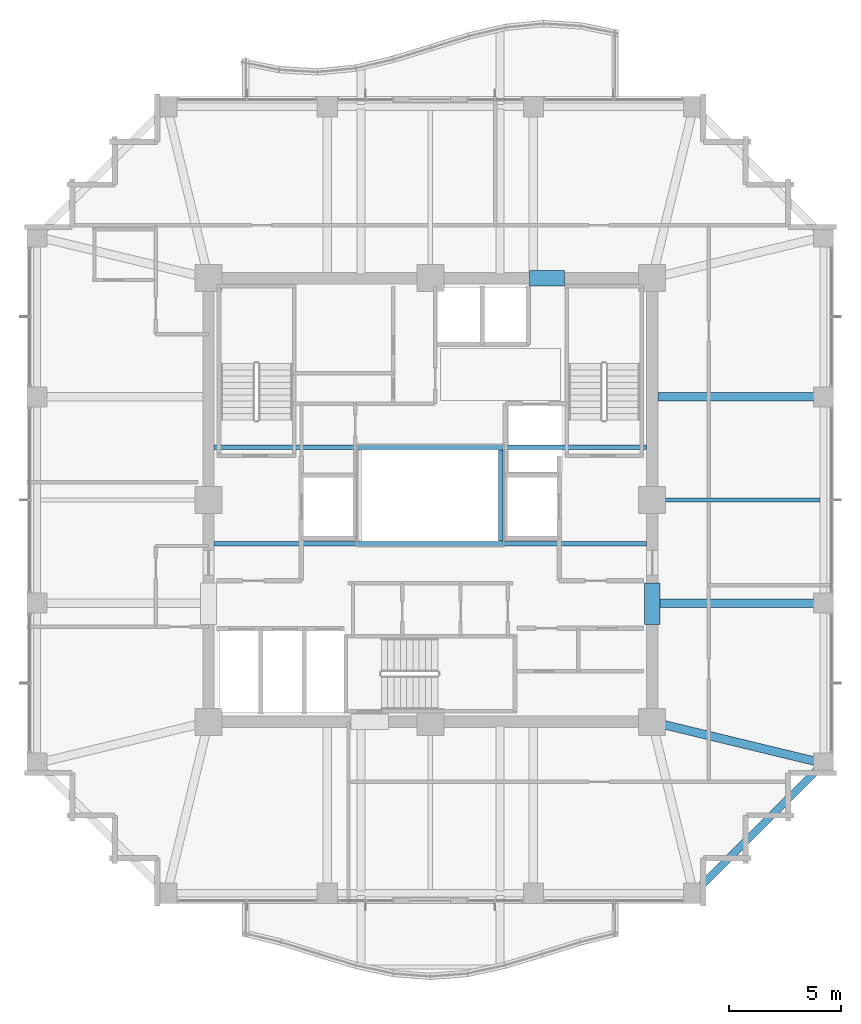
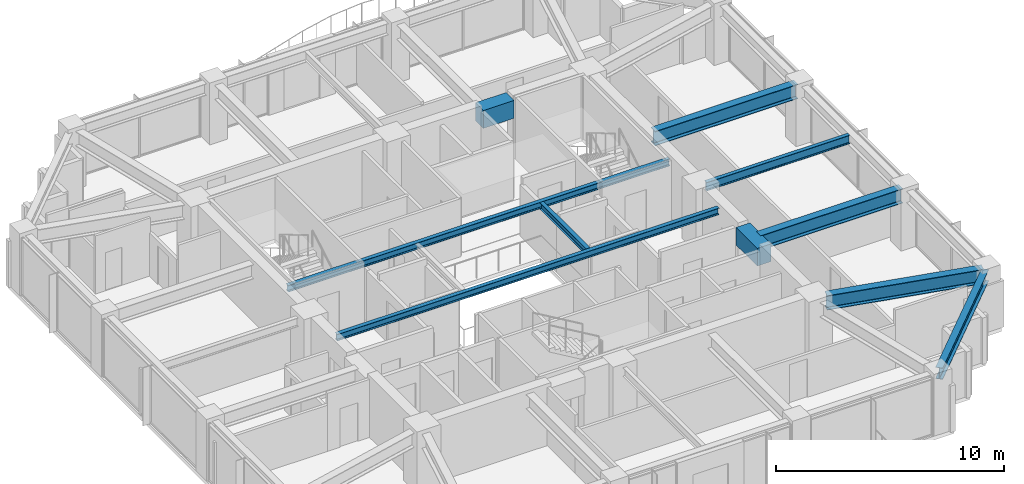
# One storey, part 12 of 31: 10 beams.
"""IFC4 building model written with IfcOpenShell, lengths in metres."""

import ifcopenshell
import ifcopenshell.guid

model = None  # the IFC model being written
_history = None  # IfcOwnerHistory: only IFC2X3 demands one
_inside = {}  # id of a spatial element -> (the spatial element, [elements in it])
_under = {}  # id of a project, library or spatial element -> (it, [spatial elements below it])
_declared = {}  # id of a project -> (the project, [libraries it declares])
_typed = {}  # id of a type object -> (the type object, [elements of that type])
_made_of = {}  # id of a material, layer set ... -> (it, [elements and type objects made of it])


def new_model(schema):
    """Start an empty IFC model of exactly this schema.

    Asked for "IFC4X3", IfcOpenShell would pick the latest addendum, in which some entities
    have other attributes; the version numbers below select the first issue.
    IFC2X3 requires an IfcOwnerHistory on every rooted entity: one is made here for all.
    """
    global model, _history
    if schema == "IFC4X3":
        model = ifcopenshell.file(schema_version=(4, 3, 0, 0))
    else:
        model = ifcopenshell.file(schema=schema)
    _inside.clear()
    _under.clear()
    _declared.clear()
    _typed.clear()
    _made_of.clear()
    _history = None
    if model.schema == "IFC2X3":
        org = make("IfcOrganization", Name="unknown")
        user = make(
            "IfcPersonAndOrganization",
            ThePerson=make("IfcPerson", FamilyName="unknown"),
            TheOrganization=org,
        )
        app = make(
            "IfcApplication",
            ApplicationDeveloper=org,
            Version="unknown",
            ApplicationFullName="unknown",
            ApplicationIdentifier="unknown",
        )
        _history = make(
            "IfcOwnerHistory",
            OwningUser=user,
            OwningApplication=app,
            ChangeAction="ADDED",
            CreationDate=0,
        )
    return model


def make(cls, **values):
    """One entity of the class cls with the attributes given. An attribute that is None is left unset."""
    return model.create_entity(
        cls, **{name: value for name, value in values.items() if value is not None}
    )


def rooted(cls, **values):
    """An entity with a GlobalId (a new one), such as an element, a storey or a relation."""
    return make(cls, GlobalId=ifcopenshell.guid.new(), OwnerHistory=_history, **values)


def si_unit(unit_type, name, prefix=None):
    """IfcSIUnit, for example si_unit("LENGTHUNIT", "METRE", prefix="MILLI")."""
    return make("IfcSIUnit", UnitType=unit_type, Prefix=prefix, Name=name)


def assignment(units):
    """IfcUnitAssignment: the units of a project."""
    return None if units is None else make("IfcUnitAssignment", Units=units)


def point(xyz):
    """IfcCartesianPoint."""
    return None if xyz is None else make("IfcCartesianPoint", Coordinates=xyz)


def direction(xyz):
    """IfcDirection."""
    return None if xyz is None else make("IfcDirection", DirectionRatios=xyz)


def frame(location, z_axis=None, x_axis=None):
    """IfcAxis2Placement3D, a coordinate frame: its origin and axes. An axis left out is left unset."""
    return make(
        "IfcAxis2Placement3D",
        Location=point(location),
        Axis=direction(z_axis),
        RefDirection=direction(x_axis),
    )


def frame_2d(location, x_axis=None):
    """IfcAxis2Placement2D, a coordinate frame in the plane: its origin and x axis."""
    return make(
        "IfcAxis2Placement2D", Location=point(location), RefDirection=direction(x_axis)
    )


def origin():
    """The frame at (0, 0, 0) with its axes left unset."""
    return frame((0.0, 0.0, 0.0))


def origin_2d():
    """The frame at (0, 0) in the plane with its x axis left unset."""
    return frame_2d((0.0, 0.0))


def place(relative_to, where):
    """IfcLocalPlacement: puts the frame where relative to a parent placement (None: the world)."""
    return make(
        "IfcLocalPlacement", PlacementRelTo=relative_to, RelativePlacement=where
    )


def context(
    kind, dimensions, precision=None, world=None, true_north=None, identifier=None
):
    """IfcGeometricRepresentationContext, for example the 3D "Model" context."""
    return make(
        "IfcGeometricRepresentationContext",
        ContextIdentifier=identifier,
        ContextType=kind,
        CoordinateSpaceDimension=dimensions,
        Precision=precision,
        WorldCoordinateSystem=world,
        TrueNorth=true_north,
    )


def subcontext(parent, identifier, kind, view, scale=None):
    """IfcGeometricRepresentationSubContext, for example "Body" below "Model"."""
    return make(
        "IfcGeometricRepresentationSubContext",
        ContextIdentifier=identifier,
        ContextType=kind,
        ParentContext=parent,
        TargetScale=scale,
        TargetView=view,
    )


def project(units=None, contexts=None):
    """IfcProject with its units and contexts."""
    return rooted(
        "IfcProject",
        Name="project",
        RepresentationContexts=contexts,
        UnitsInContext=assignment(units),
    )


def spatial(cls, under=None, at=None, **own):
    """A site, building, storey or space (cls), placed at a placement, below another one or the project."""
    s = rooted(cls, ObjectPlacement=at, **own)
    if under is not None:
        _under.setdefault(under.id(), (under, []))[1].append(s)
    return s


def profile(cls, at=None, kind="AREA", **sizes):
    """A parametric profile (cls). Its sizes go by their IFC names, for example OverallWidth=200.0."""
    return make(cls, ProfileType=kind, Position=at, **sizes)


def rectangle(**sizes):
    """IfcRectangleProfileDef."""
    return profile("IfcRectangleProfileDef", **sizes)


def i_section(**sizes):
    """IfcIShapeProfileDef."""
    return profile("IfcIShapeProfileDef", **sizes)


def extrude(swept, where, along, depth):
    """IfcExtrudedAreaSolid: the profile swept, set in the frame where, extruded along a direction by depth."""
    return make(
        "IfcExtrudedAreaSolid",
        SweptArea=swept,
        Position=where,
        ExtrudedDirection=direction(along),
        Depth=depth,
    )


def shape(context_of_items, identifier, shape_type, items):
    """IfcShapeRepresentation: the items that make up one representation, for example the "Body"."""
    return make(
        "IfcShapeRepresentation",
        ContextOfItems=context_of_items,
        RepresentationIdentifier=identifier,
        RepresentationType=shape_type,
        Items=items,
    )


def material(Name=None, Category=None):
    """IfcMaterial."""
    return make("IfcMaterial", Name=Name, Category=Category)


def material_profile(
    of_material, cross_section, Name=None, Category=None, Priority=None
):
    """IfcMaterialProfile: a cross section and its material."""
    return make(
        "IfcMaterialProfile",
        Name=Name,
        Material=of_material,
        Profile=cross_section,
        Priority=Priority,
        Category=Category,
    )


def profile_set(profiles, Name=None, composite=None):
    """IfcMaterialProfileSet."""
    return make(
        "IfcMaterialProfileSet",
        Name=Name,
        MaterialProfiles=profiles,
        CompositeProfile=composite,
    )


def made_of(thing, what):
    """Note that an element or type object is made of a material, layer set ...; save() writes the relation."""
    if what is not None:
        _made_of.setdefault(what.id(), (what, []))[1].append(thing)
    return thing


def type_object(cls, material=None, **own):
    """A type object (cls), such as IfcWallType, which elements share."""
    return made_of(rooted(cls, **own), material)


def element(
    cls,
    number,
    at=None,
    inside=None,
    cuts=None,
    type_object=None,
    material=None,
    context=None,
    identifier="Body",
    shape_type=None,
    held_by="IfcProductDefinitionShape",
    body=None,
    shapes=None,
    **own,
):
    """One element of the class cls, such as IfcWall. Its Tag is "e" and its number.

    at: its placement. inside: the storey or other place that contains it. cuts: it is an
    opening in that element (IfcRelVoidsElement). A single representation is given by context,
    identifier, shape_type and body (its items); several are given by shapes. held_by: the class
    of the entity that holds the representations. save() writes the other relations.
    """
    e = rooted(cls, Tag="e%d" % number, ObjectPlacement=at, **own)
    if body is not None:
        shapes = [shape(context, identifier, shape_type, body)]
    if shapes is not None:
        e.Representation = make(held_by, Representations=shapes)
    if inside is not None:
        _inside.setdefault(inside.id(), (inside, []))[1].append(e)
    if cuts is not None:
        rooted(
            "IfcRelVoidsElement", RelatingBuildingElement=cuts, RelatedOpeningElement=e
        )
    if type_object is not None:
        _typed.setdefault(type_object.id(), (type_object, []))[1].append(e)
    return made_of(e, material)


def aggregate(whole, parts):
    """IfcRelAggregates: a whole, such as a stair, and the parts it consists of."""
    return rooted("IfcRelAggregates", RelatingObject=whole, RelatedObjects=parts)


def save(model, path):
    """Write the relations noted so far, then the file.

    IfcRelAggregates (storeys below a building ...), IfcRelContainedInSpatialStructure (elements
    in a storey), IfcRelDefinesByType, IfcRelAssociatesMaterial and IfcRelDeclares: one each for
    every whole, place, type object, material and project.
    """
    for whole, parts in _under.values():
        aggregate(whole, parts)
    for where, things in _inside.values():
        rooted(
            "IfcRelContainedInSpatialStructure",
            RelatedElements=things,
            RelatingStructure=where,
        )
    for kind, things in _typed.values():
        rooted("IfcRelDefinesByType", RelatedObjects=things, RelatingType=kind)
    for what, things in _made_of.values():
        rooted("IfcRelAssociatesMaterial", RelatedObjects=things, RelatingMaterial=what)
    for by, libraries in _declared.values():
        rooted("IfcRelDeclares", RelatingContext=by, RelatedDefinitions=libraries)
    model.write(path)


model = new_model("IFC4")

# Units and contexts
model_context = context("Model", 3, precision=1e-05, world=origin(), true_north=direction((0.0, 1.0)))
body_context = subcontext(model_context, "Body", "Model", "MODEL_VIEW")
ifc_project = project(units=[si_unit("LENGTHUNIT", "METRE"), si_unit("AREAUNIT", "SQUARE_METRE"), si_unit("VOLUMEUNIT", "CUBIC_METRE"), si_unit("PLANEANGLEUNIT", "RADIAN"), si_unit("MASSUNIT", "GRAM", prefix="KILO")], contexts=[model_context])

# Site, building, storey
site_placement = place(None, origin())
site = spatial("IfcSite", under=ifc_project, at=site_placement, CompositionType="ELEMENT")
building_placement = place(site_placement, origin())
building = spatial("IfcBuilding", under=site, at=building_placement, Name="Kolvaren Belvedere", CompositionType="ELEMENT")
storey_placement = place(building_placement, frame((0.0, 0.0, 138.199951171875)))
storey = spatial("IfcBuildingStorey", under=building, at=storey_placement, Name="L40", CompositionType="ELEMENT", Elevation=138.199951171875)

# Beams
ifc_material_1 = material(Name="Structural steel ASTM A992 Grade 50", Category="steel")
ifc_material_profile_1 = material_profile(ifc_material_1, i_section(OverallWidth=0.2041015625, OverallDepth=0.35009765625, WebThickness=0.008544921875, FlangeThickness=0.01513671875, FilletRadius=0.013916015625, at=origin_2d()), Name="W14X48")
ifc_profile_set_1 = profile_set([ifc_material_profile_1], Name="Structural steel ASTM A992 Grade 50")
beam_type_1 = type_object("IfcBeamType", Name="BM-ATRIUM-W14X48", PredefinedType="BEAM", material=ifc_profile_set_1)
for number, where, z_axis, x_axis, name in (
    (1, (-9.64990234375, -1.949951171875, 2.925048828125), (1.0, 0.0, 0.0), (0.0, 1.0, 0.0), "L40 Central Atrium South Girder AS"),
    (2, (-9.64990234375, 2.35009765625, 2.925048828125), (1.0, 0.0, 0.0), (0.0, 1.0, 0.0), "L40 Central Atrium North Girder AN"),
):
    element("IfcBeam", number, at=place(storey_placement, frame(where, z_axis=z_axis, x_axis=x_axis)), inside=storey, type_object=beam_type_1, Name=name, PredefinedType="BEAM", context=body_context, shape_type="SweptSolid", body=[
        extrude(i_section(OverallWidth=0.2041015625, OverallDepth=0.35009765625, WebThickness=0.008544921875, FlangeThickness=0.01513671875, FilletRadius=0.013916015625, at=origin_2d()), origin(), (0.0, 0.0, 1.0), 19.2998046875),
    ])
beam_1_placement = place(storey_placement, frame((3.14990234375, -1.840087890625, 2.925048828125), z_axis=(0.0, 1.0, 0.0), x_axis=(-1.0, 0.0, 0.0)))
element("IfcBeam", 3, at=beam_1_placement, inside=storey, type_object=beam_type_1, Name="L40 Central Atrium East Edge Beam AE", PredefinedType="BEAM", context=body_context, shape_type="SweptSolid", body=[
    extrude(i_section(OverallWidth=0.2041015625, OverallDepth=0.35009765625, WebThickness=0.008544921875, FlangeThickness=0.01513671875, FilletRadius=0.013916015625, at=origin_2d()), origin(), (0.0, 0.0, 1.0), 4.080078125),
])
ifc_material_2 = material(Name="Structural steel ASTM A992 Grade 50", Category="steel")
ifc_material_profile_2 = material_profile(ifc_material_2, i_section(OverallWidth=0.381103515625, OverallDepth=0.77294921875, WebThickness=0.0166015625, FlangeThickness=0.027099609375, FilletRadius=0.02392578125, at=origin_2d()), Name="W30X173")
ifc_profile_set_2 = profile_set([ifc_material_profile_2], Name="Structural steel ASTM A992 Grade 50")
beam_type_2 = type_object("IfcBeamType", Name="BM-GIRD-W30X173", PredefinedType="BEAM", material=ifc_profile_set_2)
for number, where, z_axis, x_axis, name in (
    (4, (10.14990234375, 4.60009765625, 2.713623046875), (1.0, 0.0, 0.0), (0.0, 1.0, 0.0), "L40 East Radial Girder P"),
    (5, (10.14990234375, -4.60009765625, 2.713623046875), (1.0, 0.0, 0.0), (0.0, 1.0, 0.0), "L40 East Radial Girder M"),
):
    element("IfcBeam", number, at=place(storey_placement, frame(where, z_axis=z_axis, x_axis=x_axis)), inside=storey, type_object=beam_type_2, Name=name, PredefinedType="BEAM", context=body_context, shape_type="SweptSolid", body=[
        extrude(i_section(OverallWidth=0.381103515625, OverallDepth=0.77294921875, WebThickness=0.0166015625, FlangeThickness=0.027099609375, FilletRadius=0.02392578125, at=origin_2d()), origin(), (0.0, 0.0, 1.0), 7.197509765625),
    ])
beam_2_placement = place(storey_placement, frame((10.4345703125, -10.029296875, 2.713623046875), z_axis=(0.971980197119, -0.235062749937, 0.0), x_axis=(0.235062749937, 0.971980197119, 0.0)))
element("IfcBeam", 6, at=beam_2_placement, inside=storey, type_object=beam_type_2, Name="L40 Corner Core-to-Perimeter Girder CC2-E1", PredefinedType="BEAM", context=body_context, shape_type="SweptSolid", body=[
    extrude(i_section(OverallWidth=0.381103515625, OverallDepth=0.77294921875, WebThickness=0.0166015625, FlangeThickness=0.027099609375, FilletRadius=0.02392578125, at=origin_2d()), origin(), (0.0, 0.0, 1.0), 7.140625),
])
ifc_material_3 = material(Name="Structural steel ASTM A992 Grade 50", Category="steel")
ifc_material_profile_3 = material_profile(ifc_material_3, i_section(OverallWidth=0.19091796875, OverallDepth=0.4599609375, WebThickness=0.010009765625, FlangeThickness=0.01611328125, FilletRadius=0.014892578125, at=origin_2d()), Name="W18X55")
ifc_profile_set_3 = profile_set([ifc_material_profile_3], Name="Structural steel ASTM A992 Grade 50")
beam_type_3 = type_object("IfcBeamType", Name="BM-JOIST-W18X55", PredefinedType="BEAM", material=ifc_profile_set_3)
beam_3_placement = place(storey_placement, frame((10.14990234375, 0.0, 2.8701171875), z_axis=(1.0, 0.0, 0.0), x_axis=(0.0, 1.0, 0.0)))
element("IfcBeam", 7, at=beam_3_placement, inside=storey, type_object=beam_type_3, Name="L40 East Centre Floor Beam", PredefinedType="BEAM", context=body_context, shape_type="SweptSolid", body=[
    extrude(i_section(OverallWidth=0.19091796875, OverallDepth=0.4599609375, WebThickness=0.010009765625, FlangeThickness=0.01611328125, FilletRadius=0.014892578125, at=origin_2d()), origin(), (0.0, 0.0, 1.0), 7.237548828125),
])
ifc_material_4 = material(Name="Concrete C60/75", Category="concrete")
ifc_material_profile_4 = material_profile(ifc_material_4, rectangle(XDim=0.699951171875, YDim=0.949951171875, at=origin_2d()), Name="RC 700X950")
ifc_profile_set_4 = profile_set([ifc_material_profile_4], Name="Concrete C60/75")
beam_type_4 = type_object("IfcBeamType", Name="BM-LINT-950", PredefinedType="LINTEL", material=ifc_profile_set_4)
beam_4_placement = place(storey_placement, frame((4.419921875, 9.89990234375, 2.625), z_axis=(1.0, 0.0, 0.0), x_axis=(0.0, 1.0, 0.0)))
element("IfcBeam", 8, at=beam_4_placement, inside=storey, type_object=beam_type_4, Name="L40 North Core Coupling Lintel", PredefinedType="LINTEL", context=body_context, shape_type="SweptSolid", body=[
    extrude(rectangle(XDim=0.699951171875, YDim=0.949951171875, at=origin_2d()), origin(), (0.0, 0.0, 1.0), 1.56005859375),
])
beam_5_placement = place(storey_placement, frame((9.89990234375, -5.550048828125, 2.625), z_axis=(0.0, 1.0, 0.0), x_axis=(-1.0, 0.0, 0.0)))
element("IfcBeam", 9, at=beam_5_placement, inside=storey, type_object=beam_type_4, Name="L40 East Core Coupling Lintel", PredefinedType="LINTEL", context=body_context, shape_type="SweptSolid", body=[
    extrude(rectangle(XDim=0.699951171875, YDim=0.949951171875, at=origin_2d()), origin(), (0.0, 0.0, 1.0), 1.85009765625),
])
ifc_material_5 = material(Name="Structural steel ASTM A992 Grade 50", Category="steel")
ifc_material_profile_5 = material_profile(ifc_material_5, i_section(OverallWidth=0.324951171875, OverallDepth=0.615966796875, WebThickness=0.013916015625, FlangeThickness=0.021484375, FilletRadius=0.02001953125, at=origin_2d()), Name="W24X117")
ifc_profile_set_5 = profile_set([ifc_material_profile_5], Name="Structural steel ASTM A992 Grade 50")
beam_type_5 = type_object("IfcBeamType", Name="BM-SPAN-W24X117", PredefinedType="SPANDREL", material=ifc_profile_set_5)
beam_6_placement = place(storey_placement, frame((11.893310546875, -17.40673828125, 2.7919921875), z_axis=(0.707106781187, 0.707106781187, 0.0), x_axis=(-0.707106781187, 0.707106781187, 0.0)))
element("IfcBeam", 10, at=beam_6_placement, inside=storey, type_object=beam_type_5, Name="L40 Perimeter Spandrel S4-E1", PredefinedType="SPANDREL", context=body_context, shape_type="SweptSolid", body=[
    extrude(i_section(OverallWidth=0.324951171875, OverallDepth=0.615966796875, WebThickness=0.013916015625, FlangeThickness=0.021484375, FilletRadius=0.02001953125, at=origin_2d()), origin(), (0.0, 0.0, 1.0), 7.797119140625),
])

save(model, "model.ifc")
